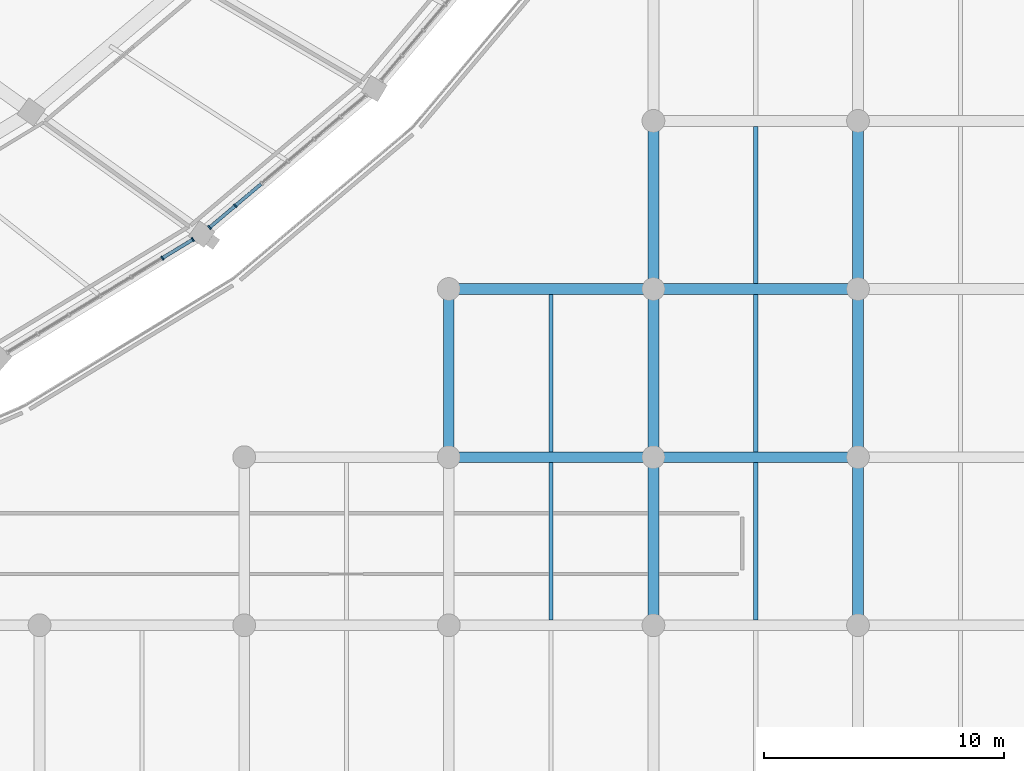
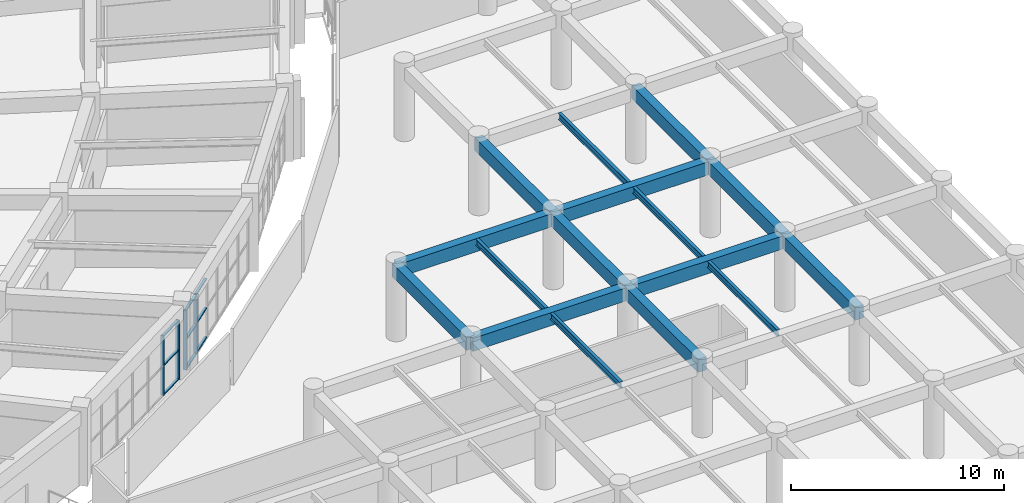
# One storey, part 42 of 145: 16 beams, 13 members, 2 elements without a shape of their own.
"""IFC4 building model written with IfcOpenShell, lengths in metres."""

from ifc_helpers import new_model, si_unit, direction, frame, origin, origin_2d, place, context, subcontext, project, spatial, rectangle, i_section, extrude, material, layer, layer_set, material_profile, profile_set, type_object, element, aggregate, save


model = new_model("IFC4")

# Units and contexts
model_context = context("Model", 3, precision=1e-05, world=origin(), true_north=direction((0.0, 1.0)))
body_context = subcontext(model_context, "Body", "Model", "MODEL_VIEW")
ifc_project = project(units=[si_unit("LENGTHUNIT", "METRE"), si_unit("AREAUNIT", "SQUARE_METRE"), si_unit("VOLUMEUNIT", "CUBIC_METRE"), si_unit("PLANEANGLEUNIT", "RADIAN"), si_unit("MASSUNIT", "GRAM", prefix="KILO")], contexts=[model_context])

# Site, building, storey
site_placement = place(None, origin())
site = spatial("IfcSite", under=ifc_project, at=site_placement, CompositionType="ELEMENT")
building_placement = place(site_placement, origin())
building = spatial("IfcBuilding", under=site, at=building_placement, Name="Mphavela Belvedere Stadium", CompositionType="ELEMENT")
storey_placement = place(building_placement, frame((0.0, 0.0, 10.199951171875)))
storey = spatial("IfcBuildingStorey", under=building, at=storey_placement, Name="L02", CompositionType="ELEMENT", Elevation=10.199951171875)

# Beams
ifc_material_1 = material(Name="Steel S355", Category="steel")
ifc_material_profile_1 = material_profile(ifc_material_1, i_section(OverallWidth=0.169921875, OverallDepth=0.360107421875, WebThickness=0.008056640625, FlangeThickness=0.0126953125, at=origin_2d()), Name="IPE 360")
ifc_profile_set_1 = profile_set([ifc_material_profile_1], Name="Steel S355")
beam_type_1 = type_object("IfcBeamType", Name="BM-JOIST-IPE360", PredefinedType="JOIST", material=ifc_profile_set_1)
for number, where, z_axis, x_axis, name in (
    (1, (208.70361328125, 14.22509765625, 4.06005859375), (0.0, 1.0, 0.0), (-1.0, 0.0, 0.0), "South Axial Triumphal Peristyle Portico secondary joist L02 25-3"),
    (2, (208.70361328125, 21.22509765625, 4.06005859375), (0.0, 1.0, 0.0), (-1.0, 0.0, 0.0), "South Axial Triumphal Peristyle Portico secondary joist L02 25-4"),
    (3, (217.221923828125, 14.22509765625, 4.06005859375), (0.0, 1.0, 0.0), (-1.0, 0.0, 0.0), "South Axial Triumphal Peristyle Portico secondary joist L02 26-3"),
    (4, (217.221923828125, 21.22509765625, 4.06005859375), (0.0, 1.0, 0.0), (-1.0, 0.0, 0.0), "South Axial Triumphal Peristyle Portico secondary joist L02 26-4"),
    (5, (217.221923828125, 28.22509765625, 4.06005859375), (0.0, 1.0, 0.0), (-1.0, 0.0, 0.0), "South Axial Triumphal Peristyle Portico secondary joist L02 26-5"),
):
    element("IfcBeam", number, at=place(storey_placement, frame(where, z_axis=z_axis, x_axis=x_axis)), inside=storey, type_object=beam_type_1, Name=name, PredefinedType="JOIST", context=body_context, shape_type="SweptSolid", body=[
        extrude(i_section(OverallWidth=0.169921875, OverallDepth=0.360107421875, WebThickness=0.008056640625, FlangeThickness=0.0126953125, at=origin_2d()), origin(), (0.0, 0.0, 1.0), 6.5498046875),
    ])
ifc_material_2 = material(Name="Concrete C40/50", Category="concrete")
ifc_material_profile_2 = material_profile(ifc_material_2, rectangle(XDim=0.449951171875, YDim=0.75, at=origin_2d()), Name="RC 450x750")
ifc_profile_set_2 = profile_set([ifc_material_profile_2], Name="Concrete C40/50")
beam_type_2 = type_object("IfcBeamType", Name="BM-RC450x750", PredefinedType="BEAM", material=ifc_profile_set_2)
beam_1_placement = place(storey_placement, frame((204.444091796875, 21.0, 3.864990234375), z_axis=(1.0, 0.0, 0.0), x_axis=(0.0, 1.0, 0.0)))
element("IfcBeam", 6, at=beam_1_placement, inside=storey, type_object=beam_type_2, Name="South Axial Triumphal Peristyle Portico entablature beam X L02 25-4", PredefinedType="BEAM", context=body_context, shape_type="SweptSolid", body=[
    extrude(rectangle(XDim=0.449951171875, YDim=0.75, at=origin_2d()), origin(), (0.0, 0.0, 1.0), 8.518798828125),
])
beam_2_placement = place(storey_placement, frame((204.444091796875, 21.0, 3.864990234375), z_axis=(0.0, 1.0, 0.0), x_axis=(-1.0, 0.0, 0.0)))
element("IfcBeam", 7, at=beam_2_placement, inside=storey, type_object=beam_type_2, Name="South Axial Triumphal Peristyle Portico entablature beam Y L02 25-4", PredefinedType="BEAM", context=body_context, shape_type="SweptSolid", body=[
    extrude(rectangle(XDim=0.449951171875, YDim=0.75, at=origin_2d()), origin(), (0.0, 0.0, 1.0), 7.0),
])
beam_3_placement = place(storey_placement, frame((204.444091796875, 28.0, 3.864990234375), z_axis=(1.0, 0.0, 0.0), x_axis=(0.0, 1.0, 0.0)))
element("IfcBeam", 8, at=beam_3_placement, inside=storey, type_object=beam_type_2, Name="South Axial Triumphal Peristyle Portico entablature beam X L02 25-5", PredefinedType="BEAM", context=body_context, shape_type="SweptSolid", body=[
    extrude(rectangle(XDim=0.449951171875, YDim=0.75, at=origin_2d()), origin(), (0.0, 0.0, 1.0), 8.518798828125),
])
beam_4_placement = place(storey_placement, frame((212.962890625, 14.0, 3.864990234375), z_axis=(0.0, 1.0, 0.0), x_axis=(-1.0, 0.0, 0.0)))
element("IfcBeam", 9, at=beam_4_placement, inside=storey, type_object=beam_type_2, Name="South Axial Triumphal Peristyle Portico entablature beam Y L02 26-3", PredefinedType="BEAM", context=body_context, shape_type="SweptSolid", body=[
    extrude(rectangle(XDim=0.449951171875, YDim=0.75, at=origin_2d()), origin(), (0.0, 0.0, 1.0), 7.0),
])
beam_5_placement = place(storey_placement, frame((212.962890625, 21.0, 3.864990234375), z_axis=(1.0, 0.0, 0.0), x_axis=(0.0, 1.0, 0.0)))
element("IfcBeam", 10, at=beam_5_placement, inside=storey, type_object=beam_type_2, Name="South Axial Triumphal Peristyle Portico entablature beam X L02 26-4", PredefinedType="BEAM", context=body_context, shape_type="SweptSolid", body=[
    extrude(rectangle(XDim=0.449951171875, YDim=0.75, at=origin_2d()), origin(), (0.0, 0.0, 1.0), 8.51806640625),
])
beam_6_placement = place(storey_placement, frame((212.962890625, 21.0, 3.864990234375), z_axis=(0.0, 1.0, 0.0), x_axis=(-1.0, 0.0, 0.0)))
element("IfcBeam", 11, at=beam_6_placement, inside=storey, type_object=beam_type_2, Name="South Axial Triumphal Peristyle Portico entablature beam Y L02 26-4", PredefinedType="BEAM", context=body_context, shape_type="SweptSolid", body=[
    extrude(rectangle(XDim=0.449951171875, YDim=0.75, at=origin_2d()), origin(), (0.0, 0.0, 1.0), 7.0),
])
beam_7_placement = place(storey_placement, frame((212.962890625, 28.0, 3.864990234375), z_axis=(1.0, 0.0, 0.0), x_axis=(0.0, 1.0, 0.0)))
element("IfcBeam", 12, at=beam_7_placement, inside=storey, type_object=beam_type_2, Name="South Axial Triumphal Peristyle Portico entablature beam X L02 26-5", PredefinedType="BEAM", context=body_context, shape_type="SweptSolid", body=[
    extrude(rectangle(XDim=0.449951171875, YDim=0.75, at=origin_2d()), origin(), (0.0, 0.0, 1.0), 8.51806640625),
])
for number, where, z_axis, x_axis, name in (
    (13, (212.962890625, 28.0, 3.864990234375), (0.0, 1.0, 0.0), (-1.0, 0.0, 0.0), "South Axial Triumphal Peristyle Portico entablature beam Y L02 26-5"),
    (14, (221.48095703125, 14.0, 3.864990234375), (0.0, 1.0, 0.0), (-1.0, 0.0, 0.0), "South Axial Triumphal Peristyle Portico entablature beam Y L02 27-3"),
    (15, (221.48095703125, 21.0, 3.864990234375), (0.0, 1.0, 0.0), (-1.0, 0.0, 0.0), "South Axial Triumphal Peristyle Portico entablature beam Y L02 27-4"),
    (16, (221.48095703125, 28.0, 3.864990234375), (0.0, 1.0, 0.0), (-1.0, 0.0, 0.0), "South Axial Triumphal Peristyle Portico entablature beam Y L02 27-5"),
):
    element("IfcBeam", number, at=place(storey_placement, frame(where, z_axis=z_axis, x_axis=x_axis)), inside=storey, type_object=beam_type_2, Name=name, PredefinedType="BEAM", context=body_context, shape_type="SweptSolid", body=[
        extrude(rectangle(XDim=0.449951171875, YDim=0.75, at=origin_2d()), origin(), (0.0, 0.0, 1.0), 7.0),
    ])

# Curtain wall, members
ifc_material_3 = material(Name="Anodised bronze unitised curtain wall framing")
ifc_layer_1 = layer(ifc_material_3, 0.18505859375)
ifc_layer_set_1 = layer_set([ifc_layer_1], Name="Anodised bronze unitised curtain wall framing")
curtain_wall_type_1 = type_object("IfcCurtainWallType", Name="CW-UNIT-02", PredefinedType="USERDEFINED", material=ifc_layer_set_1)
curtain_wall_1_placement = place(storey_placement, origin())
curtain_wall_1 = element("IfcCurtainWall", 17, at=curtain_wall_1_placement, inside=storey, type_object=curtain_wall_type_1, Name="Belvedere colonnade curtain wall L02-42", ObjectType="UNITISED CURTAIN WALL", PredefinedType="USERDEFINED")
ifc_material_4 = material(Name="Anodised bronze extruded aluminium", Category="aluminium")
ifc_material_profile_3 = material_profile(ifc_material_4, rectangle(XDim=0.179931640625, YDim=0.06494140625, at=origin_2d()), Name="CW-MUL 180x65")
ifc_profile_set_3 = profile_set([ifc_material_profile_3], Name="Anodised bronze extruded aluminium")
member_type_1 = type_object("IfcMemberType", Name="CWM-180x65", PredefinedType="MULLION", material=ifc_profile_set_3)
member_1_placement = place(storey_placement, frame((192.51904296875, 29.289794921875, 0.0), z_axis=(0.0, 0.0, 1.0), x_axis=(-0.519731623633, 0.85432958476, 0.0)))
member_1 = element("IfcMember", 18, at=member_1_placement, type_object=member_type_1, Name="CW-02 mullion 6", PredefinedType="MULLION", context=body_context, shape_type="SweptSolid", body=[
    extrude(rectangle(XDim=0.179931640625, YDim=0.06494140625, at=origin_2d()), origin(), (0.0, 0.0, 1.0), 3.420166015625),
])
member_2_placement = place(storey_placement, frame((193.787841796875, 30.061767578125, 0.0), z_axis=(0.0, 0.0, 1.0), x_axis=(-0.519731623633, 0.85432958476, 0.0)))
member_2 = element("IfcMember", 19, at=member_2_placement, type_object=member_type_1, Name="CW-02 mullion 7", PredefinedType="MULLION", context=body_context, shape_type="SweptSolid", body=[
    extrude(rectangle(XDim=0.179931640625, YDim=0.06494140625, at=origin_2d()), origin(), (0.0, 0.0, 1.0), 3.420166015625),
])

ifc_material_5 = material(Name="Anodised bronze unitised curtain wall framing")
ifc_layer_2 = layer(ifc_material_5, 0.18994140625)
ifc_layer_set_2 = layer_set([ifc_layer_2], Name="Anodised bronze unitised curtain wall framing")
curtain_wall_type_2 = type_object("IfcCurtainWallType", Name="CW-UNIT-03", PredefinedType="USERDEFINED", material=ifc_layer_set_2)
curtain_wall_2_placement = place(storey_placement, origin())
curtain_wall_2 = element("IfcCurtainWall", 20, at=curtain_wall_2_placement, inside=storey, type_object=curtain_wall_type_2, Name="Belvedere colonnade curtain wall L02-43", ObjectType="UNITISED CURTAIN WALL", PredefinedType="USERDEFINED")
member_3_placement = place(storey_placement, frame((194.484619140625, 30.563232421875, 0.0), z_axis=(0.0, 0.0, 1.0), x_axis=(-0.644907225915, 0.764260865126, 0.0)))
member_3 = element("IfcMember", 21, at=member_3_placement, type_object=member_type_1, Name="CW-03 mullion 1", PredefinedType="MULLION", context=body_context, shape_type="SweptSolid", body=[
    extrude(rectangle(XDim=0.179931640625, YDim=0.06494140625, at=origin_2d()), origin(), (0.0, 0.0, 1.0), 3.420166015625),
])
member_4_placement = place(storey_placement, frame((195.555419921875, 31.466796875, 0.0), z_axis=(0.0, 0.0, 1.0), x_axis=(-0.644907225915, 0.764260865126, 0.0)))
member_4 = element("IfcMember", 22, at=member_4_placement, type_object=member_type_1, Name="CW-03 mullion 2", PredefinedType="MULLION", context=body_context, shape_type="SweptSolid", body=[
    extrude(rectangle(XDim=0.179931640625, YDim=0.06494140625, at=origin_2d()), origin(), (0.0, 0.0, 1.0), 3.420166015625),
])

# Member
ifc_material_6 = material(Name="Anodised bronze extruded aluminium", Category="aluminium")
ifc_material_profile_4 = material_profile(ifc_material_6, rectangle(XDim=0.139892578125, YDim=0.06005859375, at=origin_2d()), Name="CW-TRN 140x60")
ifc_profile_set_4 = profile_set([ifc_material_profile_4], Name="Anodised bronze extruded aluminium")
member_type_2 = type_object("IfcMemberType", Name="CWT-140x60", PredefinedType="USERDEFINED", material=ifc_profile_set_4)
member_5_placement = place(storey_placement, frame((192.546875, 29.306640625, 0.030029296875), z_axis=(0.8542450285, 0.5198705909, 0.0), x_axis=(-0.5198705909, 0.8542450285, 0.0)))
member_5 = element("IfcMember", 23, at=member_5_placement, type_object=member_type_2, Name="CW-02 transom 6.1", ObjectType="TRANSOM", PredefinedType="USERDEFINED", context=body_context, shape_type="SweptSolid", body=[
    extrude(rectangle(XDim=0.139892578125, YDim=0.06005859375, at=origin_2d()), origin(), (0.0, 0.0, 1.0), 1.420166015625),
])

member_6_placement = place(storey_placement, frame((192.546875, 29.306640625, 1.7099609375), z_axis=(0.8542450285, 0.5198705909, 0.0), x_axis=(-0.5198705909, 0.8542450285, 0.0)))
member_6 = element("IfcMember", 24, at=member_6_placement, type_object=member_type_2, Name="CW-02 transom 6.2", ObjectType="TRANSOM", PredefinedType="USERDEFINED", context=body_context, shape_type="SweptSolid", body=[
    extrude(rectangle(XDim=0.139892578125, YDim=0.06005859375, at=origin_2d()), origin(), (0.0, 0.0, 1.0), 1.420166015625),
])

member_7_placement = place(storey_placement, frame((192.546875, 29.306640625, 3.39013671875), z_axis=(0.8542450285, 0.5198705909, 0.0), x_axis=(-0.5198705909, 0.8542450285, 0.0)))
member_7 = element("IfcMember", 25, at=member_7_placement, type_object=member_type_2, Name="CW-02 transom 6.3", ObjectType="TRANSOM", PredefinedType="USERDEFINED", context=body_context, shape_type="SweptSolid", body=[
    extrude(rectangle(XDim=0.139892578125, YDim=0.06005859375, at=origin_2d()), origin(), (0.0, 0.0, 1.0), 1.420166015625),
])

aggregate(curtain_wall_1, [member_1, member_2, member_5, member_6, member_7])

member_8_placement = place(storey_placement, frame((194.509521484375, 30.584228515625, 0.030029296875), z_axis=(0.764328068464, 0.644827576766, 0.0), x_axis=(-0.644827576766, 0.764328068464, 0.0)))
member_8 = element("IfcMember", 26, at=member_8_placement, type_object=member_type_2, Name="CW-03 transom 1.1", ObjectType="TRANSOM", PredefinedType="USERDEFINED", context=body_context, shape_type="SweptSolid", body=[
    extrude(rectangle(XDim=0.139892578125, YDim=0.06005859375, at=origin_2d()), origin(), (0.0, 0.0, 1.0), 1.336181640625),
])

member_9_placement = place(storey_placement, frame((194.509521484375, 30.584228515625, 1.7099609375), z_axis=(0.764328068464, 0.644827576766, 0.0), x_axis=(-0.644827576766, 0.764328068464, 0.0)))
member_9 = element("IfcMember", 27, at=member_9_placement, type_object=member_type_2, Name="CW-03 transom 1.2", ObjectType="TRANSOM", PredefinedType="USERDEFINED", context=body_context, shape_type="SweptSolid", body=[
    extrude(rectangle(XDim=0.139892578125, YDim=0.06005859375, at=origin_2d()), origin(), (0.0, 0.0, 1.0), 1.336181640625),
])

member_10_placement = place(storey_placement, frame((194.509521484375, 30.584228515625, 3.39013671875), z_axis=(0.764328068464, 0.644827576766, 0.0), x_axis=(-0.644827576766, 0.764328068464, 0.0)))
member_10 = element("IfcMember", 28, at=member_10_placement, type_object=member_type_2, Name="CW-03 transom 1.3", ObjectType="TRANSOM", PredefinedType="USERDEFINED", context=body_context, shape_type="SweptSolid", body=[
    extrude(rectangle(XDim=0.139892578125, YDim=0.06005859375, at=origin_2d()), origin(), (0.0, 0.0, 1.0), 1.336181640625),
])

member_11_placement = place(storey_placement, frame((195.580322265625, 31.48779296875, 0.030029296875), z_axis=(0.764332692147, 0.644822096175, 0.0), x_axis=(-0.644822096175, 0.764332692147, 0.0)))
member_11 = element("IfcMember", 29, at=member_11_placement, type_object=member_type_2, Name="CW-03 transom 2.1", ObjectType="TRANSOM", PredefinedType="USERDEFINED", context=body_context, shape_type="SweptSolid", body=[
    extrude(rectangle(XDim=0.139892578125, YDim=0.06005859375, at=origin_2d()), origin(), (0.0, 0.0, 1.0), 1.36865234375),
])

member_12_placement = place(storey_placement, frame((195.580322265625, 31.48779296875, 1.7099609375), z_axis=(0.764332692147, 0.644822096175, 0.0), x_axis=(-0.644822096175, 0.764332692147, 0.0)))
member_12 = element("IfcMember", 30, at=member_12_placement, type_object=member_type_2, Name="CW-03 transom 2.2", ObjectType="TRANSOM", PredefinedType="USERDEFINED", context=body_context, shape_type="SweptSolid", body=[
    extrude(rectangle(XDim=0.139892578125, YDim=0.06005859375, at=origin_2d()), origin(), (0.0, 0.0, 1.0), 1.36865234375),
])

member_13_placement = place(storey_placement, frame((195.580322265625, 31.48779296875, 3.39013671875), z_axis=(0.764332692147, 0.644822096175, 0.0), x_axis=(-0.644822096175, 0.764332692147, 0.0)))
member_13 = element("IfcMember", 31, at=member_13_placement, type_object=member_type_2, Name="CW-03 transom 2.3", ObjectType="TRANSOM", PredefinedType="USERDEFINED", context=body_context, shape_type="SweptSolid", body=[
    extrude(rectangle(XDim=0.139892578125, YDim=0.06005859375, at=origin_2d()), origin(), (0.0, 0.0, 1.0), 1.36865234375),
])

aggregate(curtain_wall_2, [member_3, member_4, member_8, member_9, member_10, member_11, member_12, member_13])

save(model, "model.ifc")
